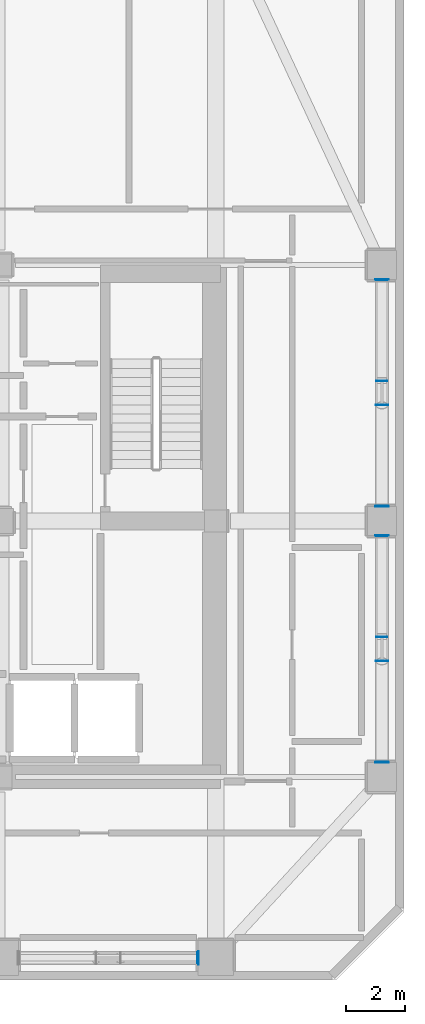
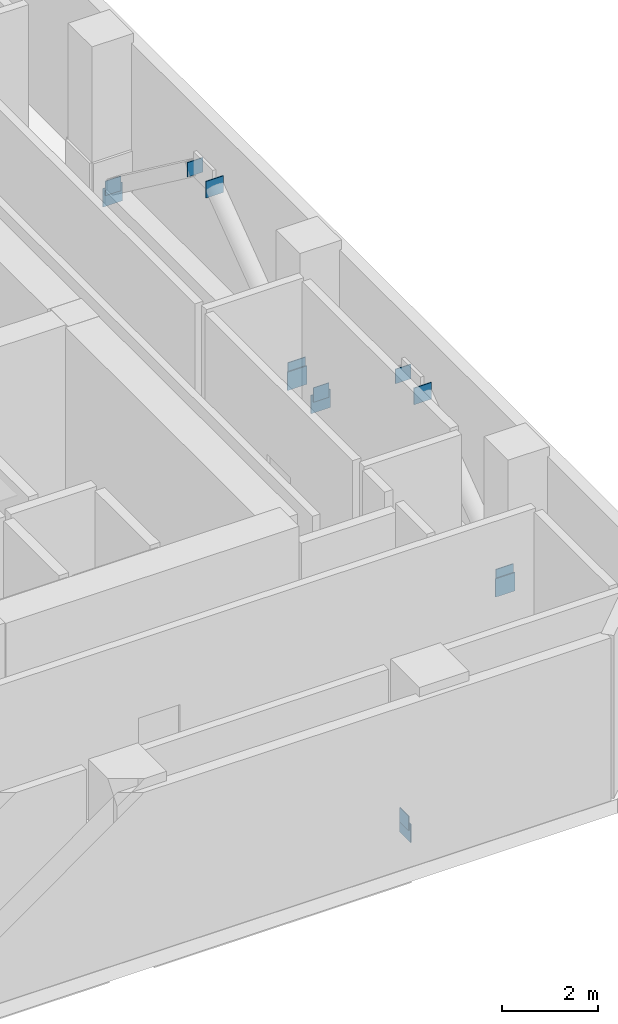
# One storey, part 6 of 12: 14 plates.
"""IFC4 building model written with IfcOpenShell, lengths in metres."""

from ifc_helpers import new_model, si_unit, direction, frame, origin, origin_2d, place, context, subcontext, project, spatial, rectangle, extrude, material, layer, layer_set, type_object, element, save


model = new_model("IFC4")

# Units and contexts
model_context = context("Model", 3, precision=1e-05, world=origin(), true_north=direction((0.0, 1.0)))
body_context = subcontext(model_context, "Body", "Model", "MODEL_VIEW")
ifc_project = project(units=[si_unit("LENGTHUNIT", "METRE"), si_unit("AREAUNIT", "SQUARE_METRE"), si_unit("VOLUMEUNIT", "CUBIC_METRE"), si_unit("PLANEANGLEUNIT", "RADIAN"), si_unit("MASSUNIT", "GRAM", prefix="KILO")], contexts=[model_context])

# Site, building, storey
site_placement = place(None, origin())
site = spatial("IfcSite", under=ifc_project, at=site_placement, CompositionType="ELEMENT")
building_placement = place(site_placement, origin())
building = spatial("IfcBuilding", under=site, at=building_placement, Name="Solanera Arch Residences", CompositionType="ELEMENT")
storey_placement = place(building_placement, frame((0.0, 0.0, 172.47998046875)))
storey = spatial("IfcBuildingStorey", under=building, at=storey_placement, Name="L50", CompositionType="ELEMENT", Elevation=172.47998046875)

# Plates
ifc_material = material(Name="Steel S355 (ASTM A992 / A572 Grade 50)", Category="steel")
ifc_layer = layer(ifc_material, 0.02001953125)
ifc_layer_set = layer_set([ifc_layer], Name="Steel S355 (ASTM A992 / A572 Grade 50)")
plate_type = type_object("IfcPlateType", Name="End Cap Plate EC-20", PredefinedType="USERDEFINED", material=ifc_layer_set)
plate_1_placement = place(storey_placement, frame((35.909912109375, 15.85009765625, 0.21484375), z_axis=(0.0, 0.0, 1.0), x_axis=(1.0, 0.0, 0.0)))
element("IfcPlate", 1, at=plate_1_placement, inside=storey, type_object=plate_type, Name="Hollow Section End Cap 176", ObjectType="STIFFENER", PredefinedType="USERDEFINED", context=body_context, shape_type="SweptSolid", body=[
    extrude(rectangle(XDim=0.02001953125, YDim=0.469970703125, at=origin_2d()), origin(), (0.0, 0.0, 1.0), 0.469970703125),
])
plate_2_placement = place(storey_placement, frame((35.886962890625, 15.85009765625, 0.5029296875), z_axis=(0.0, 0.0, 1.0), x_axis=(1.0, 0.0, 0.0)))
element("IfcPlate", 2, at=plate_2_placement, inside=storey, type_object=plate_type, Name="Hollow Section End Cap 179", ObjectType="STIFFENER", PredefinedType="USERDEFINED", context=body_context, shape_type="SweptSolid", body=[
    extrude(rectangle(XDim=0.02001953125, YDim=0.3701171875, at=origin_2d()), origin(), (0.0, 0.0, 1.0), 0.3701171875),
])
for number, where, z_axis, x_axis, name in (
    (3, (42.14990234375, 22.489990234375, 0.21484375), (0.0, 0.0, 1.0), (0.0, -1.0, 0.0), "Hollow Section End Cap 205"),
    (4, (42.14990234375, 30.2099609375, 0.21484375), (0.0, 0.0, 1.0), (0.0, 1.0, 0.0), "Hollow Section End Cap 206"),
):
    element("IfcPlate", number, at=place(storey_placement, frame(where, z_axis=z_axis, x_axis=x_axis)), inside=storey, type_object=plate_type, Name=name, ObjectType="STIFFENER", PredefinedType="USERDEFINED", context=body_context, shape_type="SweptSolid", body=[
        extrude(rectangle(XDim=0.02001953125, YDim=0.469970703125, at=origin_2d()), origin(), (0.0, 0.0, 1.0), 0.469970703125),
    ])
for number, where, z_axis, x_axis, name in (
    (5, (42.14990234375, 22.511962890625, 0.47607421875), (0.0, 0.0, 1.0), (0.0, -1.0, 0.0), "Hollow Section End Cap 207"),
    (6, (42.14990234375, 25.93798828125, 3.02783203125), (0.0, 0.0, 1.0), (0.0, 1.0, 0.0), "Hollow Section End Cap 208"),
):
    element("IfcPlate", number, at=place(storey_placement, frame(where, z_axis=z_axis, x_axis=x_axis)), inside=storey, type_object=plate_type, Name=name, ObjectType="STIFFENER", PredefinedType="USERDEFINED", context=body_context, shape_type="SweptSolid", body=[
        extrude(rectangle(XDim=0.02001953125, YDim=0.426025390625, at=origin_2d()), origin(), (0.0, 0.0, 1.0), 0.426025390625),
    ])
for number, where, z_axis, x_axis, name in (
    (7, (42.14990234375, 30.18798828125, 0.50390625), (0.0, 0.0, 1.0), (0.0, 1.0, 0.0), "Hollow Section End Cap 209"),
    (8, (42.14990234375, 26.761962890625, 3.055908203125), (0.0, 0.0, 1.0), (0.0, -1.0, 0.0), "Hollow Section End Cap 210"),
):
    element("IfcPlate", number, at=place(storey_placement, frame(where, z_axis=z_axis, x_axis=x_axis)), inside=storey, type_object=plate_type, Name=name, ObjectType="STIFFENER", PredefinedType="USERDEFINED", context=body_context, shape_type="SweptSolid", body=[
        extrude(rectangle(XDim=0.02001953125, YDim=0.3701171875, at=origin_2d()), origin(), (0.0, 0.0, 1.0), 0.3701171875),
    ])
for number, where, z_axis, x_axis, name in (
    (9, (42.14990234375, 31.18994140625, 0.21484375), (0.0, 0.0, 1.0), (0.0, -1.0, 0.0), "Hollow Section End Cap 211"),
    (10, (42.14990234375, 38.909912109375, 0.21484375), (0.0, 0.0, 1.0), (0.0, 1.0, 0.0), "Hollow Section End Cap 212"),
):
    element("IfcPlate", number, at=place(storey_placement, frame(where, z_axis=z_axis, x_axis=x_axis)), inside=storey, type_object=plate_type, Name=name, ObjectType="STIFFENER", PredefinedType="USERDEFINED", context=body_context, shape_type="SweptSolid", body=[
        extrude(rectangle(XDim=0.02001953125, YDim=0.469970703125, at=origin_2d()), origin(), (0.0, 0.0, 1.0), 0.469970703125),
    ])
for number, where, z_axis, x_axis, name in (
    (11, (42.14990234375, 31.2119140625, 0.47607421875), (0.0, 0.0, 1.0), (0.0, -1.0, 0.0), "Hollow Section End Cap 213"),
    (12, (42.14990234375, 34.637939453125, 3.02783203125), (0.0, 0.0, 1.0), (0.0, 1.0, 0.0), "Hollow Section End Cap 214"),
):
    element("IfcPlate", number, at=place(storey_placement, frame(where, z_axis=z_axis, x_axis=x_axis)), inside=storey, type_object=plate_type, Name=name, ObjectType="STIFFENER", PredefinedType="USERDEFINED", context=body_context, shape_type="SweptSolid", body=[
        extrude(rectangle(XDim=0.02001953125, YDim=0.426025390625, at=origin_2d()), origin(), (0.0, 0.0, 1.0), 0.426025390625),
    ])
for number, where, z_axis, x_axis, name in (
    (13, (42.14990234375, 38.887939453125, 0.50390625), (0.0, 0.0, 1.0), (0.0, 1.0, 0.0), "Hollow Section End Cap 215"),
    (14, (42.14990234375, 35.4619140625, 3.055908203125), (0.0, 0.0, 1.0), (0.0, -1.0, 0.0), "Hollow Section End Cap 216"),
):
    element("IfcPlate", number, at=place(storey_placement, frame(where, z_axis=z_axis, x_axis=x_axis)), inside=storey, type_object=plate_type, Name=name, ObjectType="STIFFENER", PredefinedType="USERDEFINED", context=body_context, shape_type="SweptSolid", body=[
        extrude(rectangle(XDim=0.02001953125, YDim=0.3701171875, at=origin_2d()), origin(), (0.0, 0.0, 1.0), 0.3701171875),
    ])

save(model, "model.ifc")
